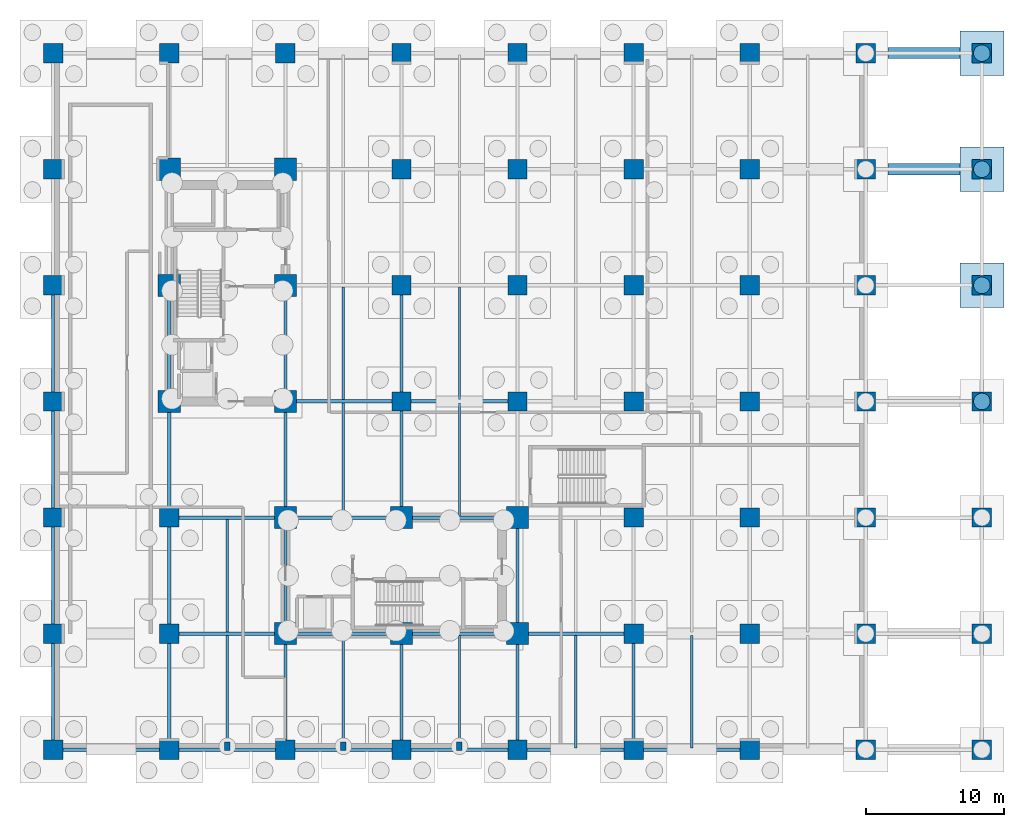
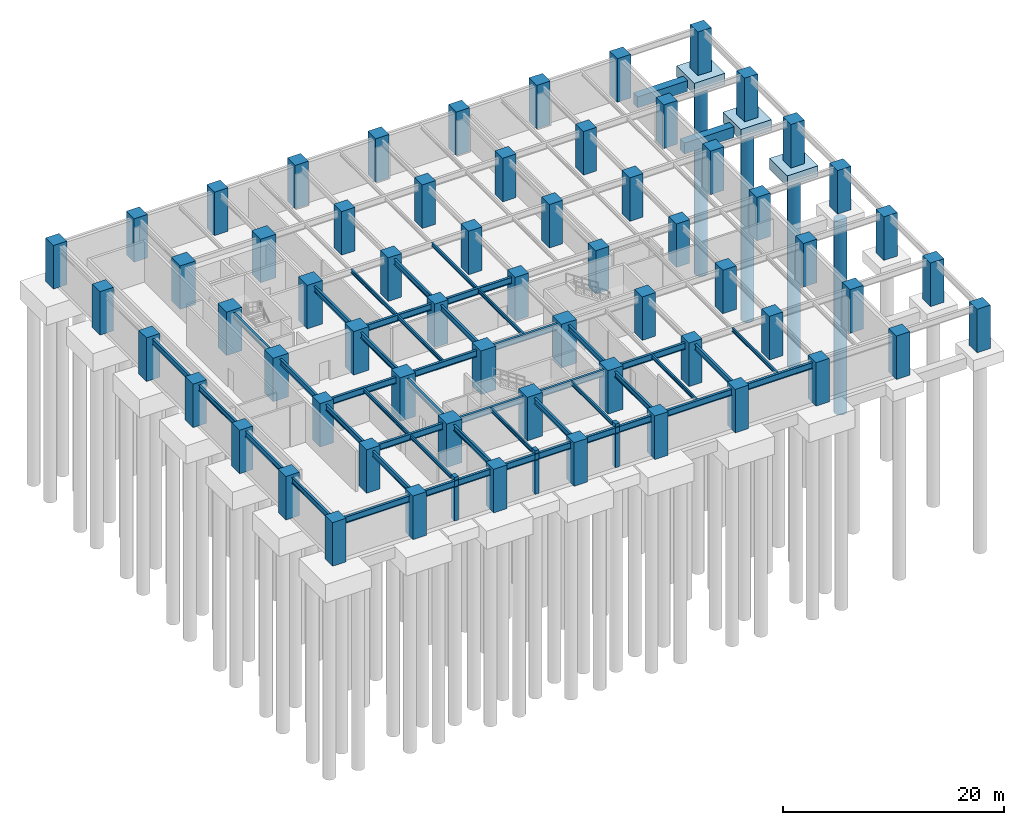
# One storey, part 3 of 9: 66 columns, 43 beams, 5 footings, 4 piles.
"""IFC4 building model written with IfcOpenShell, lengths in metres."""

from ifc_helpers import new_model, si_unit, direction, frame, origin, origin_2d, place, context, subcontext, project, spatial, polyline, rectangle, circle, i_section, outline, extrude, material, layer, layer_set, material_profile, profile_set, type_object, element, save


model = new_model("IFC4")

# Units and contexts
model_context = context("Model", 3, precision=1e-05, world=origin(), true_north=direction((0.0, 1.0)))
body_context = subcontext(model_context, "Body", "Model", "MODEL_VIEW")
ifc_project = project(units=[si_unit("LENGTHUNIT", "METRE"), si_unit("AREAUNIT", "SQUARE_METRE"), si_unit("VOLUMEUNIT", "CUBIC_METRE"), si_unit("PLANEANGLEUNIT", "RADIAN"), si_unit("MASSUNIT", "GRAM", prefix="KILO")], contexts=[model_context])

# Site, building, storey
site_placement = place(None, origin())
site = spatial("IfcSite", under=ifc_project, at=site_placement, CompositionType="ELEMENT")
building_placement = place(site_placement, origin())
building = spatial("IfcBuilding", under=site, at=building_placement, Name="Nerrivon Quay Data Exchange", CompositionType="ELEMENT")
storey_placement = place(building_placement, frame((0.0, 0.0, -9.60009765625)))
storey = spatial("IfcBuildingStorey", under=building, at=storey_placement, Name="B02", CompositionType="ELEMENT", Elevation=-9.60009765625)

# Footings
ifc_material_1 = material(Name="Concrete N40 (40 MPa)", Category="concrete")
ifc_material_profile_1 = material_profile(ifc_material_1, rectangle(XDim=0.800048828125, YDim=1.199951171875, at=origin_2d()), Name="RC-GB-800x1200")
ifc_profile_set_1 = profile_set([ifc_material_profile_1], Name="Concrete N40 (40 MPa)")
footing_type_1 = type_object("IfcFootingType", Name="FTG-GB-800x1200", PredefinedType="FOOTING_BEAM", material=ifc_profile_set_1)
for number, where, z_axis, x_axis, name in (
    (1, (60.39990234375, 42.0, -1.0), (1.0, 0.0, 0.0), (0.0, 1.0, 0.0), "Ground Tie Beam GB-19"),
    (2, (60.39990234375, 50.39990234375, -1.0), (1.0, 0.0, 0.0), (0.0, 1.0, 0.0), "Ground Tie Beam GB-27"),
):
    element("IfcFooting", number, at=place(storey_placement, frame(where, z_axis=z_axis, x_axis=x_axis)), inside=storey, type_object=footing_type_1, Name=name, PredefinedType="FOOTING_BEAM", context=body_context, shape_type="SweptSolid", body=[
        extrude(rectangle(XDim=0.800048828125, YDim=1.199951171875, at=origin_2d()), origin(), (0.0, 0.0, 1.0), 5.2001953125),
    ])
ifc_layer = layer(ifc_material_1, 1.199951171875)
ifc_layer_set = layer_set([ifc_layer], Name="Concrete N40 (40 MPa)")
footing_type_2 = type_object("IfcFootingType", Name="FTG-PAD-POD", PredefinedType="PAD_FOOTING", material=ifc_layer_set)
footing_1_placement = place(storey_placement, frame((0.0, 0.0, -1.199951171875)))
element("IfcFooting", 3, at=footing_1_placement, inside=storey, type_object=footing_type_2, Name="Podium Pad Footing PF-49", PredefinedType="PAD_FOOTING", context=body_context, shape_type="SweptSolid", body=[
    extrude(outline(polyline([(65.60009765625, 32.0), (68.800048828125, 32.0), (68.800048828125, 35.199951171875), (65.60009765625, 35.199951171875), (65.60009765625, 32.0)])), origin(), (0.0, 0.0, 1.0), 1.199951171875),
])
footing_2_placement = place(storey_placement, frame((0.0, 0.0, -1.199951171875)))
element("IfcFooting", 4, at=footing_2_placement, inside=storey, type_object=footing_type_2, Name="Podium Pad Footing PF-50", PredefinedType="PAD_FOOTING", context=body_context, shape_type="SweptSolid", body=[
    extrude(outline(polyline([(65.60009765625, 40.39990234375), (68.800048828125, 40.39990234375), (68.800048828125, 43.60009765625), (65.60009765625, 43.60009765625), (65.60009765625, 40.39990234375)])), origin(), (0.0, 0.0, 1.0), 1.199951171875),
])
footing_3_placement = place(storey_placement, frame((0.0, 0.0, -1.199951171875)))
element("IfcFooting", 5, at=footing_3_placement, inside=storey, type_object=footing_type_2, Name="Podium Pad Footing PF-51", PredefinedType="PAD_FOOTING", context=body_context, shape_type="SweptSolid", body=[
    extrude(outline(polyline([(65.60009765625, 48.800048828125), (68.800048828125, 48.800048828125), (68.800048828125, 52.0), (65.60009765625, 52.0), (65.60009765625, 48.800048828125)])), origin(), (0.0, 0.0, 1.0), 1.199951171875),
])

# Piles
ifc_material_2 = material(Name="Concrete N50 (50 MPa)", Category="concrete")
ifc_material_profile_2 = material_profile(ifc_material_2, circle(Radius=0.60009765625, at=origin_2d()), Name="PILE-1200")
ifc_profile_set_2 = profile_set([ifc_material_profile_2], Name="Concrete N50 (50 MPa)")
pile_type = type_object("IfcPileType", Name="PILE-P2-1200", PredefinedType="BORED", material=ifc_profile_set_2)
for number, where, z_axis, x_axis, name in (
    (6, (67.199951171875, 25.199951171875, -1.099853515625), (0.0, 0.0, -1.0), (1.0, 0.0, 0.0), "Bored Pile P2-189"),
    (7, (67.199951171875, 33.60009765625, -1.099853515625), (0.0, 0.0, -1.0), (1.0, 0.0, 0.0), "Bored Pile P2-190"),
    (8, (67.199951171875, 42.0, -1.099853515625), (0.0, 0.0, -1.0), (1.0, 0.0, 0.0), "Bored Pile P2-191"),
    (9, (67.199951171875, 50.39990234375, -1.099853515625), (0.0, 0.0, -1.0), (1.0, 0.0, 0.0), "Bored Pile P2-192"),
):
    element("IfcPile", number, at=place(storey_placement, frame(where, z_axis=z_axis, x_axis=x_axis)), inside=storey, type_object=pile_type, Name=name, PredefinedType="BORED", context=body_context, shape_type="SweptSolid", body=[
        extrude(circle(Radius=0.60009765625, at=origin_2d()), origin(), (0.0, 0.0, 1.0), 21.300048828125),
    ])

# Columns
ifc_material_3 = material(Name="Concrete N80 (80 MPa)", Category="concrete")
ifc_material_profile_3 = material_profile(ifc_material_3, rectangle(XDim=1.60009765625, YDim=1.60009765625, at=origin_2d()), Name="RC-COL-1600x1600")
ifc_profile_set_3 = profile_set([ifc_material_profile_3], Name="Concrete N80 (80 MPa)")
column_type_1 = type_object("IfcColumnType", Name="COL-C1-1600", PredefinedType="COLUMN", material=ifc_profile_set_3)
for number, where, z_axis, x_axis, name in (
    (10, (8.39990234375, 25.199951171875, 0.0), (0.0, 0.0, 1.0), (1.0, 0.0, 0.0), "B02 Column (8.4,25.2)"),
    (11, (8.39990234375, 33.60009765625, 0.0), (0.0, 0.0, 1.0), (1.0, 0.0, 0.0), "B02 Column (8.4,33.6)"),
    (12, (8.39990234375, 42.0, 0.0), (0.0, 0.0, 1.0), (1.0, 0.0, 0.0), "B02 Column (8.4,42.0)"),
    (13, (16.800048828125, 8.39990234375, 0.0), (0.0, 0.0, 1.0), (1.0, 0.0, 0.0), "B02 Column (16.8,8.4)"),
    (14, (16.800048828125, 16.800048828125, 0.0), (0.0, 0.0, 1.0), (1.0, 0.0, 0.0), "B02 Column (16.8,16.8)"),
    (15, (16.800048828125, 25.199951171875, 0.0), (0.0, 0.0, 1.0), (1.0, 0.0, 0.0), "B02 Column (16.8,25.2)"),
    (16, (16.800048828125, 33.60009765625, 0.0), (0.0, 0.0, 1.0), (1.0, 0.0, 0.0), "B02 Column (16.8,33.6)"),
    (17, (16.800048828125, 42.0, 0.0), (0.0, 0.0, 1.0), (1.0, 0.0, 0.0), "B02 Column (16.8,42.0)"),
    (18, (25.199951171875, 8.39990234375, 0.0), (0.0, 0.0, 1.0), (1.0, 0.0, 0.0), "B02 Column (25.2,8.4)"),
    (19, (25.199951171875, 16.800048828125, 0.0), (0.0, 0.0, 1.0), (1.0, 0.0, 0.0), "B02 Column (25.2,16.8)"),
    (20, (33.60009765625, 8.39990234375, 0.0), (0.0, 0.0, 1.0), (1.0, 0.0, 0.0), "B02 Column (33.6,8.4)"),
    (21, (33.60009765625, 16.800048828125, 0.0), (0.0, 0.0, 1.0), (1.0, 0.0, 0.0), "B02 Column (33.6,16.8)"),
):
    element("IfcColumn", number, at=place(storey_placement, frame(where, z_axis=z_axis, x_axis=x_axis)), inside=storey, type_object=column_type_1, Name=name, PredefinedType="COLUMN", context=body_context, shape_type="SweptSolid", body=[
        extrude(rectangle(XDim=1.60009765625, YDim=1.60009765625, at=origin_2d()), origin(), (0.0, 0.0, 1.0), 4.800048828125),
    ])
ifc_material_profile_4 = material_profile(ifc_material_3, rectangle(XDim=1.39990234375, YDim=1.39990234375, at=origin_2d()), Name="RC-COL-1400x1400")
ifc_profile_set_4 = profile_set([ifc_material_profile_4], Name="Concrete N80 (80 MPa)")
column_type_2 = type_object("IfcColumnType", Name="COL-C2-1400", PredefinedType="COLUMN", material=ifc_profile_set_4)
for number, where, z_axis, x_axis, name in (
    (22, (0.0, 0.0, 0.0), (0.0, 0.0, 1.0), (1.0, 0.0, 0.0), "B02 Column (0.0,0.0)"),
    (23, (0.0, 8.39990234375, 0.0), (0.0, 0.0, 1.0), (1.0, 0.0, 0.0), "B02 Column (0.0,8.4)"),
    (24, (0.0, 16.800048828125, 0.0), (0.0, 0.0, 1.0), (1.0, 0.0, 0.0), "B02 Column (0.0,16.8)"),
    (25, (0.0, 25.199951171875, 0.0), (0.0, 0.0, 1.0), (1.0, 0.0, 0.0), "B02 Column (0.0,25.2)"),
    (26, (0.0, 33.60009765625, 0.0), (0.0, 0.0, 1.0), (1.0, 0.0, 0.0), "B02 Column (0.0,33.6)"),
    (27, (0.0, 42.0, 0.0), (0.0, 0.0, 1.0), (1.0, 0.0, 0.0), "B02 Column (0.0,42.0)"),
    (28, (0.0, 50.39990234375, 0.0), (0.0, 0.0, 1.0), (1.0, 0.0, 0.0), "B02 Column (0.0,50.4)"),
    (29, (8.39990234375, 0.0, 0.0), (0.0, 0.0, 1.0), (1.0, 0.0, 0.0), "B02 Column (8.4,0.0)"),
    (30, (8.39990234375, 8.39990234375, 0.0), (0.0, 0.0, 1.0), (1.0, 0.0, 0.0), "B02 Column (8.4,8.4)"),
    (31, (8.39990234375, 16.800048828125, 0.0), (0.0, 0.0, 1.0), (1.0, 0.0, 0.0), "B02 Column (8.4,16.8)"),
    (32, (8.39990234375, 50.39990234375, 0.0), (0.0, 0.0, 1.0), (1.0, 0.0, 0.0), "B02 Column (8.4,50.4)"),
    (33, (16.800048828125, 0.0, 0.0), (0.0, 0.0, 1.0), (1.0, 0.0, 0.0), "B02 Column (16.8,0.0)"),
    (34, (16.800048828125, 50.39990234375, 0.0), (0.0, 0.0, 1.0), (1.0, 0.0, 0.0), "B02 Column (16.8,50.4)"),
    (35, (25.199951171875, 0.0, 0.0), (0.0, 0.0, 1.0), (1.0, 0.0, 0.0), "B02 Column (25.2,0.0)"),
    (36, (25.199951171875, 25.199951171875, 0.0), (0.0, 0.0, 1.0), (1.0, 0.0, 0.0), "B02 Column (25.2,25.2)"),
    (37, (25.199951171875, 33.60009765625, 0.0), (0.0, 0.0, 1.0), (1.0, 0.0, 0.0), "B02 Column (25.2,33.6)"),
    (38, (25.199951171875, 42.0, 0.0), (0.0, 0.0, 1.0), (1.0, 0.0, 0.0), "B02 Column (25.2,42.0)"),
    (39, (25.199951171875, 50.39990234375, 0.0), (0.0, 0.0, 1.0), (1.0, 0.0, 0.0), "B02 Column (25.2,50.4)"),
    (40, (33.60009765625, 0.0, 0.0), (0.0, 0.0, 1.0), (1.0, 0.0, 0.0), "B02 Column (33.6,0.0)"),
    (41, (33.60009765625, 25.199951171875, 0.0), (0.0, 0.0, 1.0), (1.0, 0.0, 0.0), "B02 Column (33.6,25.2)"),
    (42, (33.60009765625, 33.60009765625, 0.0), (0.0, 0.0, 1.0), (1.0, 0.0, 0.0), "B02 Column (33.6,33.6)"),
    (43, (33.60009765625, 42.0, 0.0), (0.0, 0.0, 1.0), (1.0, 0.0, 0.0), "B02 Column (33.6,42.0)"),
    (44, (33.60009765625, 50.39990234375, 0.0), (0.0, 0.0, 1.0), (1.0, 0.0, 0.0), "B02 Column (33.6,50.4)"),
    (45, (42.0, 0.0, 0.0), (0.0, 0.0, 1.0), (1.0, 0.0, 0.0), "B02 Column (42.0,0.0)"),
    (46, (42.0, 8.39990234375, 0.0), (0.0, 0.0, 1.0), (1.0, 0.0, 0.0), "B02 Column (42.0,8.4)"),
    (47, (42.0, 16.800048828125, 0.0), (0.0, 0.0, 1.0), (1.0, 0.0, 0.0), "B02 Column (42.0,16.8)"),
    (48, (42.0, 25.199951171875, 0.0), (0.0, 0.0, 1.0), (1.0, 0.0, 0.0), "B02 Column (42.0,25.2)"),
    (49, (42.0, 33.60009765625, 0.0), (0.0, 0.0, 1.0), (1.0, 0.0, 0.0), "B02 Column (42.0,33.6)"),
    (50, (42.0, 42.0, 0.0), (0.0, 0.0, 1.0), (1.0, 0.0, 0.0), "B02 Column (42.0,42.0)"),
    (51, (42.0, 50.39990234375, 0.0), (0.0, 0.0, 1.0), (1.0, 0.0, 0.0), "B02 Column (42.0,50.4)"),
    (52, (50.39990234375, 0.0, 0.0), (0.0, 0.0, 1.0), (1.0, 0.0, 0.0), "B02 Column (50.4,0.0)"),
    (53, (50.39990234375, 8.39990234375, 0.0), (0.0, 0.0, 1.0), (1.0, 0.0, 0.0), "B02 Column (50.4,8.4)"),
    (54, (50.39990234375, 16.800048828125, 0.0), (0.0, 0.0, 1.0), (1.0, 0.0, 0.0), "B02 Column (50.4,16.8)"),
    (55, (50.39990234375, 25.199951171875, 0.0), (0.0, 0.0, 1.0), (1.0, 0.0, 0.0), "B02 Column (50.4,25.2)"),
    (56, (50.39990234375, 33.60009765625, 0.0), (0.0, 0.0, 1.0), (1.0, 0.0, 0.0), "B02 Column (50.4,33.6)"),
    (57, (50.39990234375, 42.0, 0.0), (0.0, 0.0, 1.0), (1.0, 0.0, 0.0), "B02 Column (50.4,42.0)"),
    (58, (50.39990234375, 50.39990234375, 0.0), (0.0, 0.0, 1.0), (1.0, 0.0, 0.0), "B02 Column (50.4,50.4)"),
    (59, (58.800048828125, 0.0, 0.0), (0.0, 0.0, 1.0), (1.0, 0.0, 0.0), "B02 Column (58.8,0.0)"),
    (60, (58.800048828125, 8.39990234375, 0.0), (0.0, 0.0, 1.0), (1.0, 0.0, 0.0), "B02 Column (58.8,8.4)"),
    (61, (58.800048828125, 16.800048828125, 0.0), (0.0, 0.0, 1.0), (1.0, 0.0, 0.0), "B02 Column (58.8,16.8)"),
    (62, (58.800048828125, 25.199951171875, 0.0), (0.0, 0.0, 1.0), (1.0, 0.0, 0.0), "B02 Column (58.8,25.2)"),
    (63, (58.800048828125, 33.60009765625, 0.0), (0.0, 0.0, 1.0), (1.0, 0.0, 0.0), "B02 Column (58.8,33.6)"),
    (64, (58.800048828125, 42.0, 0.0), (0.0, 0.0, 1.0), (1.0, 0.0, 0.0), "B02 Column (58.8,42.0)"),
    (65, (58.800048828125, 50.39990234375, 0.0), (0.0, 0.0, 1.0), (1.0, 0.0, 0.0), "B02 Column (58.8,50.4)"),
    (66, (67.199951171875, 0.0, 0.0), (0.0, 0.0, 1.0), (1.0, 0.0, 0.0), "B02 Promenade Edge Column (67.2,0.0)"),
    (67, (67.199951171875, 8.39990234375, 0.0), (0.0, 0.0, 1.0), (1.0, 0.0, 0.0), "B02 Promenade Edge Column (67.2,8.4)"),
    (68, (67.199951171875, 16.800048828125, 0.0), (0.0, 0.0, 1.0), (1.0, 0.0, 0.0), "B02 Promenade Edge Column (67.2,16.8)"),
    (69, (67.199951171875, 25.199951171875, 0.0), (0.0, 0.0, 1.0), (1.0, 0.0, 0.0), "B02 Promenade Edge Column (67.2,25.2)"),
    (70, (67.199951171875, 33.60009765625, 0.0), (0.0, 0.0, 1.0), (1.0, 0.0, 0.0), "B02 Promenade Edge Column (67.2,33.6)"),
    (71, (67.199951171875, 42.0, 0.0), (0.0, 0.0, 1.0), (1.0, 0.0, 0.0), "B02 Promenade Edge Column (67.2,42.0)"),
    (72, (67.199951171875, 50.39990234375, 0.0), (0.0, 0.0, 1.0), (1.0, 0.0, 0.0), "B02 Promenade Edge Column (67.2,50.4)"),
):
    element("IfcColumn", number, at=place(storey_placement, frame(where, z_axis=z_axis, x_axis=x_axis)), inside=storey, type_object=column_type_2, Name=name, PredefinedType="COLUMN", context=body_context, shape_type="SweptSolid", body=[
        extrude(rectangle(XDim=1.39990234375, YDim=1.39990234375, at=origin_2d()), origin(), (0.0, 0.0, 1.0), 4.800048828125),
    ])
ifc_material_4 = material(Name="Concrete S65 (65 MPa)", Category="concrete")
ifc_material_profile_5 = material_profile(ifc_material_4, rectangle(XDim=0.39990234375, YDim=0.60009765625, at=origin_2d()), Name="RC-PIL-600x400")
ifc_profile_set_5 = profile_set([ifc_material_profile_5], Name="Concrete S65 (65 MPa)")
column_type_3 = type_object("IfcColumnType", Name="PIL-P1-600x400", PredefinedType="PILASTER", material=ifc_profile_set_5)
for number, where, z_axis, x_axis, name in (
    (73, (12.60009765625, 0.25, 0.0), (0.0, 0.0, 1.0), (1.0, 0.0, 0.0), "B02 Facade Pilaster (12.6)"),
    (74, (21.0, 0.25, 0.0), (0.0, 0.0, 1.0), (1.0, 0.0, 0.0), "B02 Facade Pilaster (21.0)"),
    (75, (29.39990234375, 0.25, 0.0), (0.0, 0.0, 1.0), (1.0, 0.0, 0.0), "B02 Facade Pilaster (29.4)"),
):
    element("IfcColumn", number, at=place(storey_placement, frame(where, z_axis=z_axis, x_axis=x_axis)), inside=storey, type_object=column_type_3, Name=name, PredefinedType="PILASTER", context=body_context, shape_type="SweptSolid", body=[
        extrude(rectangle(XDim=0.39990234375, YDim=0.60009765625, at=origin_2d()), origin(), (0.0, 0.0, 1.0), 4.800048828125),
    ])

# Beams
ifc_material_5 = material(Name="Steel Grade 350", Category="steel")
ifc_material_profile_6 = material_profile(ifc_material_5, i_section(OverallWidth=0.22900390625, OverallDepth=0.612060546875, WebThickness=0.011962890625, FlangeThickness=0.01953125, FilletRadius=0.013916015625, at=origin_2d()), Name="610UB125")
ifc_profile_set_6 = profile_set([ifc_material_profile_6], Name="Steel Grade 350")
beam_type_1 = type_object("IfcBeamType", Name="BM-G1-610UB125", PredefinedType="BEAM", material=ifc_profile_set_6)
for number, where, z_axis, x_axis, name in (
    (76, (0.0, 0.5400390625, 4.174072265625), (0.0, 1.0, 0.0), (-1.0, 0.0, 0.0), "B02 NS Girder X=0.0 (0.0..8.4)"),
    (77, (0.0, 8.93994140625, 4.174072265625), (0.0, 1.0, 0.0), (-1.0, 0.0, 0.0), "B02 NS Girder X=0.0 (8.4..16.8)"),
):
    element("IfcBeam", number, at=place(storey_placement, frame(where, z_axis=z_axis, x_axis=x_axis)), inside=storey, type_object=beam_type_1, Name=name, PredefinedType="BEAM", context=body_context, shape_type="SweptSolid", body=[
        extrude(i_section(OverallWidth=0.22900390625, OverallDepth=0.612060546875, WebThickness=0.011962890625, FlangeThickness=0.01953125, FilletRadius=0.013916015625, at=origin_2d()), origin(), (0.0, 0.0, 1.0), 7.320068359375),
    ])
beam_1_placement = place(storey_placement, frame((0.0, 17.340087890625, 4.174072265625), z_axis=(0.0, 1.0, 0.0), x_axis=(-1.0, 0.0, 0.0)))
element("IfcBeam", 78, at=beam_1_placement, inside=storey, type_object=beam_type_1, Name="B02 NS Girder X=0.0 (16.8..25.2)", PredefinedType="BEAM", context=body_context, shape_type="SweptSolid", body=[
    extrude(i_section(OverallWidth=0.22900390625, OverallDepth=0.612060546875, WebThickness=0.011962890625, FlangeThickness=0.01953125, FilletRadius=0.013916015625, at=origin_2d()), origin(), (0.0, 0.0, 1.0), 7.31982421875),
])
for number, where, z_axis, x_axis, name in (
    (79, (0.0, 25.739990234375, 4.174072265625), (0.0, 1.0, 0.0), (-1.0, 0.0, 0.0), "B02 NS Girder X=0.0 (25.2..33.6)"),
    (80, (8.39990234375, 0.5400390625, 4.174072265625), (0.0, 1.0, 0.0), (-1.0, 0.0, 0.0), "B02 NS Girder X=8.4 (0.0..8.4)"),
    (81, (8.39990234375, 8.93994140625, 4.174072265625), (0.0, 1.0, 0.0), (-1.0, 0.0, 0.0), "B02 NS Girder X=8.4 (8.4..16.8)"),
):
    element("IfcBeam", number, at=place(storey_placement, frame(where, z_axis=z_axis, x_axis=x_axis)), inside=storey, type_object=beam_type_1, Name=name, PredefinedType="BEAM", context=body_context, shape_type="SweptSolid", body=[
        extrude(i_section(OverallWidth=0.22900390625, OverallDepth=0.612060546875, WebThickness=0.011962890625, FlangeThickness=0.01953125, FilletRadius=0.013916015625, at=origin_2d()), origin(), (0.0, 0.0, 1.0), 7.320068359375),
    ])
beam_2_placement = place(storey_placement, frame((8.39990234375, 17.340087890625, 4.174072265625), z_axis=(0.0, 1.0, 0.0), x_axis=(-1.0, 0.0, 0.0)))
element("IfcBeam", 82, at=beam_2_placement, inside=storey, type_object=beam_type_1, Name="B02 NS Girder X=8.4 (16.8..25.2)", PredefinedType="BEAM", context=body_context, shape_type="SweptSolid", body=[
    extrude(i_section(OverallWidth=0.22900390625, OverallDepth=0.612060546875, WebThickness=0.011962890625, FlangeThickness=0.01953125, FilletRadius=0.013916015625, at=origin_2d()), origin(), (0.0, 0.0, 1.0), 7.31982421875),
])
for number, where, z_axis, x_axis, name in (
    (83, (8.39990234375, 25.739990234375, 4.174072265625), (0.0, 1.0, 0.0), (-1.0, 0.0, 0.0), "B02 NS Girder X=8.4 (25.2..33.6)"),
    (84, (16.800048828125, 0.5400390625, 4.174072265625), (0.0, 1.0, 0.0), (-1.0, 0.0, 0.0), "B02 NS Girder X=16.8 (0.0..8.4)"),
    (85, (16.800048828125, 8.93994140625, 4.174072265625), (0.0, 1.0, 0.0), (-1.0, 0.0, 0.0), "B02 NS Girder X=16.8 (8.4..16.8)"),
):
    element("IfcBeam", number, at=place(storey_placement, frame(where, z_axis=z_axis, x_axis=x_axis)), inside=storey, type_object=beam_type_1, Name=name, PredefinedType="BEAM", context=body_context, shape_type="SweptSolid", body=[
        extrude(i_section(OverallWidth=0.22900390625, OverallDepth=0.612060546875, WebThickness=0.011962890625, FlangeThickness=0.01953125, FilletRadius=0.013916015625, at=origin_2d()), origin(), (0.0, 0.0, 1.0), 7.320068359375),
    ])
beam_3_placement = place(storey_placement, frame((16.800048828125, 17.340087890625, 4.174072265625), z_axis=(0.0, 1.0, 0.0), x_axis=(-1.0, 0.0, 0.0)))
element("IfcBeam", 86, at=beam_3_placement, inside=storey, type_object=beam_type_1, Name="B02 NS Girder X=16.8 (16.8..25.2)", PredefinedType="BEAM", context=body_context, shape_type="SweptSolid", body=[
    extrude(i_section(OverallWidth=0.22900390625, OverallDepth=0.612060546875, WebThickness=0.011962890625, FlangeThickness=0.01953125, FilletRadius=0.013916015625, at=origin_2d()), origin(), (0.0, 0.0, 1.0), 7.31982421875),
])
for number, where, z_axis, x_axis, name in (
    (87, (16.800048828125, 25.739990234375, 4.174072265625), (0.0, 1.0, 0.0), (-1.0, 0.0, 0.0), "B02 NS Girder X=16.8 (25.2..33.6)"),
    (88, (25.199951171875, 0.5400390625, 4.174072265625), (0.0, 1.0, 0.0), (-1.0, 0.0, 0.0), "B02 NS Girder X=25.2 (0.0..8.4)"),
):
    element("IfcBeam", number, at=place(storey_placement, frame(where, z_axis=z_axis, x_axis=x_axis)), inside=storey, type_object=beam_type_1, Name=name, PredefinedType="BEAM", context=body_context, shape_type="SweptSolid", body=[
        extrude(i_section(OverallWidth=0.22900390625, OverallDepth=0.612060546875, WebThickness=0.011962890625, FlangeThickness=0.01953125, FilletRadius=0.013916015625, at=origin_2d()), origin(), (0.0, 0.0, 1.0), 7.320068359375),
    ])
beam_4_placement = place(storey_placement, frame((25.199951171875, 17.340087890625, 4.174072265625), z_axis=(0.0, 1.0, 0.0), x_axis=(-1.0, 0.0, 0.0)))
element("IfcBeam", 89, at=beam_4_placement, inside=storey, type_object=beam_type_1, Name="B02 NS Girder X=25.2 (16.8..25.2)", PredefinedType="BEAM", context=body_context, shape_type="SweptSolid", body=[
    extrude(i_section(OverallWidth=0.22900390625, OverallDepth=0.612060546875, WebThickness=0.011962890625, FlangeThickness=0.01953125, FilletRadius=0.013916015625, at=origin_2d()), origin(), (0.0, 0.0, 1.0), 7.31982421875),
])
for number, where, z_axis, x_axis, name in (
    (90, (25.199951171875, 25.739990234375, 4.174072265625), (0.0, 1.0, 0.0), (-1.0, 0.0, 0.0), "B02 NS Girder X=25.2 (25.2..33.6)"),
    (91, (33.60009765625, 0.5400390625, 4.174072265625), (0.0, 1.0, 0.0), (-1.0, 0.0, 0.0), "B02 NS Girder X=33.6 (0.0..8.4)"),
    (92, (33.60009765625, 8.93994140625, 4.174072265625), (0.0, 1.0, 0.0), (-1.0, 0.0, 0.0), "B02 NS Girder X=33.6 (8.4..16.8)"),
    (93, (42.0, 0.5400390625, 4.174072265625), (0.0, 1.0, 0.0), (-1.0, 0.0, 0.0), "B02 NS Girder X=42.0 (0.0..8.4)"),
):
    element("IfcBeam", number, at=place(storey_placement, frame(where, z_axis=z_axis, x_axis=x_axis)), inside=storey, type_object=beam_type_1, Name=name, PredefinedType="BEAM", context=body_context, shape_type="SweptSolid", body=[
        extrude(i_section(OverallWidth=0.22900390625, OverallDepth=0.612060546875, WebThickness=0.011962890625, FlangeThickness=0.01953125, FilletRadius=0.013916015625, at=origin_2d()), origin(), (0.0, 0.0, 1.0), 7.320068359375),
    ])
ifc_material_profile_7 = material_profile(ifc_material_5, i_section(OverallWidth=0.25, OverallDepth=0.699951171875, WebThickness=0.010009765625, FlangeThickness=0.02001953125, at=origin_2d()), Name="700WB130")
ifc_profile_set_7 = profile_set([ifc_material_profile_7], Name="Steel Grade 350")
beam_type_2 = type_object("IfcBeamType", Name="BM-G7-700WB130", PredefinedType="BEAM", material=ifc_profile_set_7)
for number, where, z_axis, x_axis, name in (
    (94, (0.5400390625, 0.0, 4.130126953125), (1.0, 0.0, 0.0), (0.0, 1.0, 0.0), "B02 EW Girder Y=0.0 (0.0..8.4)"),
    (95, (8.93994140625, 0.0, 4.130126953125), (1.0, 0.0, 0.0), (0.0, 1.0, 0.0), "B02 EW Girder Y=0.0 (8.4..16.8)"),
):
    element("IfcBeam", number, at=place(storey_placement, frame(where, z_axis=z_axis, x_axis=x_axis)), inside=storey, type_object=beam_type_2, Name=name, PredefinedType="BEAM", context=body_context, shape_type="SweptSolid", body=[
        extrude(i_section(OverallWidth=0.25, OverallDepth=0.699951171875, WebThickness=0.010009765625, FlangeThickness=0.02001953125, at=origin_2d()), origin(), (0.0, 0.0, 1.0), 7.320068359375),
    ])
beam_5_placement = place(storey_placement, frame((17.340087890625, 0.0, 4.130126953125), z_axis=(1.0, 0.0, 0.0), x_axis=(0.0, 1.0, 0.0)))
element("IfcBeam", 96, at=beam_5_placement, inside=storey, type_object=beam_type_2, Name="B02 EW Girder Y=0.0 (16.8..25.2)", PredefinedType="BEAM", context=body_context, shape_type="SweptSolid", body=[
    extrude(i_section(OverallWidth=0.25, OverallDepth=0.699951171875, WebThickness=0.010009765625, FlangeThickness=0.02001953125, at=origin_2d()), origin(), (0.0, 0.0, 1.0), 7.31982421875),
])
for number, where, z_axis, x_axis, name in (
    (97, (25.739990234375, 0.0, 4.130126953125), (1.0, 0.0, 0.0), (0.0, 1.0, 0.0), "B02 EW Girder Y=0.0 (25.2..33.6)"),
    (98, (34.139892578125, 0.0, 4.130126953125), (1.0, 0.0, 0.0), (0.0, 1.0, 0.0), "B02 EW Girder Y=0.0 (33.6..42.0)"),
    (99, (42.5400390625, 0.0, 4.130126953125), (1.0, 0.0, 0.0), (0.0, 1.0, 0.0), "B02 EW Girder Y=0.0 (42.0..50.4)"),
    (100, (8.93994140625, 8.39990234375, 4.130126953125), (1.0, 0.0, 0.0), (0.0, 1.0, 0.0), "B02 EW Girder Y=8.4 (8.4..16.8)"),
):
    element("IfcBeam", number, at=place(storey_placement, frame(where, z_axis=z_axis, x_axis=x_axis)), inside=storey, type_object=beam_type_2, Name=name, PredefinedType="BEAM", context=body_context, shape_type="SweptSolid", body=[
        extrude(i_section(OverallWidth=0.25, OverallDepth=0.699951171875, WebThickness=0.010009765625, FlangeThickness=0.02001953125, at=origin_2d()), origin(), (0.0, 0.0, 1.0), 7.320068359375),
    ])
beam_6_placement = place(storey_placement, frame((17.340087890625, 8.39990234375, 4.130126953125), z_axis=(1.0, 0.0, 0.0), x_axis=(0.0, 1.0, 0.0)))
element("IfcBeam", 101, at=beam_6_placement, inside=storey, type_object=beam_type_2, Name="B02 EW Girder Y=8.4 (16.8..25.2)", PredefinedType="BEAM", context=body_context, shape_type="SweptSolid", body=[
    extrude(i_section(OverallWidth=0.25, OverallDepth=0.699951171875, WebThickness=0.010009765625, FlangeThickness=0.02001953125, at=origin_2d()), origin(), (0.0, 0.0, 1.0), 7.31982421875),
])
for number, where, z_axis, x_axis, name in (
    (102, (25.739990234375, 8.39990234375, 4.130126953125), (1.0, 0.0, 0.0), (0.0, 1.0, 0.0), "B02 EW Girder Y=8.4 (25.2..33.6)"),
    (103, (34.139892578125, 8.39990234375, 4.130126953125), (1.0, 0.0, 0.0), (0.0, 1.0, 0.0), "B02 EW Girder Y=8.4 (33.6..42.0)"),
    (104, (8.93994140625, 16.800048828125, 4.130126953125), (1.0, 0.0, 0.0), (0.0, 1.0, 0.0), "B02 EW Girder Y=16.8 (8.4..16.8)"),
):
    element("IfcBeam", number, at=place(storey_placement, frame(where, z_axis=z_axis, x_axis=x_axis)), inside=storey, type_object=beam_type_2, Name=name, PredefinedType="BEAM", context=body_context, shape_type="SweptSolid", body=[
        extrude(i_section(OverallWidth=0.25, OverallDepth=0.699951171875, WebThickness=0.010009765625, FlangeThickness=0.02001953125, at=origin_2d()), origin(), (0.0, 0.0, 1.0), 7.320068359375),
    ])
beam_7_placement = place(storey_placement, frame((17.340087890625, 16.800048828125, 4.130126953125), z_axis=(1.0, 0.0, 0.0), x_axis=(0.0, 1.0, 0.0)))
element("IfcBeam", 105, at=beam_7_placement, inside=storey, type_object=beam_type_2, Name="B02 EW Girder Y=16.8 (16.8..25.2)", PredefinedType="BEAM", context=body_context, shape_type="SweptSolid", body=[
    extrude(i_section(OverallWidth=0.25, OverallDepth=0.699951171875, WebThickness=0.010009765625, FlangeThickness=0.02001953125, at=origin_2d()), origin(), (0.0, 0.0, 1.0), 7.31982421875),
])
beam_8_placement = place(storey_placement, frame((25.739990234375, 16.800048828125, 4.130126953125), z_axis=(1.0, 0.0, 0.0), x_axis=(0.0, 1.0, 0.0)))
element("IfcBeam", 106, at=beam_8_placement, inside=storey, type_object=beam_type_2, Name="B02 EW Girder Y=16.8 (25.2..33.6)", PredefinedType="BEAM", context=body_context, shape_type="SweptSolid", body=[
    extrude(i_section(OverallWidth=0.25, OverallDepth=0.699951171875, WebThickness=0.010009765625, FlangeThickness=0.02001953125, at=origin_2d()), origin(), (0.0, 0.0, 1.0), 7.320068359375),
])
beam_9_placement = place(storey_placement, frame((17.340087890625, 25.199951171875, 4.130126953125), z_axis=(1.0, 0.0, 0.0), x_axis=(0.0, 1.0, 0.0)))
element("IfcBeam", 107, at=beam_9_placement, inside=storey, type_object=beam_type_2, Name="B02 EW Girder Y=25.2 (16.8..25.2)", PredefinedType="BEAM", context=body_context, shape_type="SweptSolid", body=[
    extrude(i_section(OverallWidth=0.25, OverallDepth=0.699951171875, WebThickness=0.010009765625, FlangeThickness=0.02001953125, at=origin_2d()), origin(), (0.0, 0.0, 1.0), 7.31982421875),
])
beam_10_placement = place(storey_placement, frame((25.739990234375, 25.199951171875, 4.130126953125), z_axis=(1.0, 0.0, 0.0), x_axis=(0.0, 1.0, 0.0)))
element("IfcBeam", 108, at=beam_10_placement, inside=storey, type_object=beam_type_2, Name="B02 EW Girder Y=25.2 (25.2..33.6)", PredefinedType="BEAM", context=body_context, shape_type="SweptSolid", body=[
    extrude(i_section(OverallWidth=0.25, OverallDepth=0.699951171875, WebThickness=0.010009765625, FlangeThickness=0.02001953125, at=origin_2d()), origin(), (0.0, 0.0, 1.0), 7.320068359375),
])
ifc_material_profile_8 = material_profile(ifc_material_5, i_section(OverallWidth=0.177978515625, OverallDepth=0.406005859375, WebThickness=0.0078125, FlangeThickness=0.0126953125, FilletRadius=0.011474609375, at=origin_2d()), Name="410UB59.7")
ifc_profile_set_8 = profile_set([ifc_material_profile_8], Name="Steel Grade 350")
beam_type_3 = type_object("IfcBeamType", Name="BM-J1-410UB60", PredefinedType="JOIST", material=ifc_profile_set_8)
beam_11_placement = place(storey_placement, frame((12.60009765625, 0.125, 4.277099609375), z_axis=(0.0, 1.0, 0.0), x_axis=(-1.0, 0.0, 0.0)))
element("IfcBeam", 109, at=beam_11_placement, inside=storey, type_object=beam_type_3, Name="B02 Secondary Joist X=12.6 (0.0..8.4)", PredefinedType="JOIST", context=body_context, shape_type="SweptSolid", body=[
    extrude(i_section(OverallWidth=0.177978515625, OverallDepth=0.406005859375, WebThickness=0.0078125, FlangeThickness=0.0126953125, FilletRadius=0.011474609375, at=origin_2d()), origin(), (0.0, 0.0, 1.0), 8.14990234375),
])
beam_12_placement = place(storey_placement, frame((12.60009765625, 8.52490234375, 4.277099609375), z_axis=(0.0, 1.0, 0.0), x_axis=(-1.0, 0.0, 0.0)))
element("IfcBeam", 110, at=beam_12_placement, inside=storey, type_object=beam_type_3, Name="B02 Secondary Joist X=12.6 (8.4..16.8)", PredefinedType="JOIST", context=body_context, shape_type="SweptSolid", body=[
    extrude(i_section(OverallWidth=0.177978515625, OverallDepth=0.406005859375, WebThickness=0.0078125, FlangeThickness=0.0126953125, FilletRadius=0.011474609375, at=origin_2d()), origin(), (0.0, 0.0, 1.0), 8.150146484375),
])
for number, where, z_axis, x_axis, name in (
    (111, (21.0, 0.125, 4.277099609375), (0.0, 1.0, 0.0), (-1.0, 0.0, 0.0), "B02 Secondary Joist X=21.0 (0.0..8.4)"),
    (112, (21.0, 16.925048828125, 4.277099609375), (0.0, 1.0, 0.0), (-1.0, 0.0, 0.0), "B02 Secondary Joist X=21.0 (16.8..25.2)"),
):
    element("IfcBeam", number, at=place(storey_placement, frame(where, z_axis=z_axis, x_axis=x_axis)), inside=storey, type_object=beam_type_3, Name=name, PredefinedType="JOIST", context=body_context, shape_type="SweptSolid", body=[
        extrude(i_section(OverallWidth=0.177978515625, OverallDepth=0.406005859375, WebThickness=0.0078125, FlangeThickness=0.0126953125, FilletRadius=0.011474609375, at=origin_2d()), origin(), (0.0, 0.0, 1.0), 8.14990234375),
    ])
beam_13_placement = place(storey_placement, frame((21.0, 25.324951171875, 4.277099609375), z_axis=(0.0, 1.0, 0.0), x_axis=(-1.0, 0.0, 0.0)))
element("IfcBeam", 113, at=beam_13_placement, inside=storey, type_object=beam_type_3, Name="B02 Secondary Joist X=21.0 (25.2..33.6)", PredefinedType="JOIST", context=body_context, shape_type="SweptSolid", body=[
    extrude(i_section(OverallWidth=0.177978515625, OverallDepth=0.406005859375, WebThickness=0.0078125, FlangeThickness=0.0126953125, FilletRadius=0.011474609375, at=origin_2d()), origin(), (0.0, 0.0, 1.0), 8.150146484375),
])
for number, where, z_axis, x_axis, name in (
    (114, (29.39990234375, 0.125, 4.277099609375), (0.0, 1.0, 0.0), (-1.0, 0.0, 0.0), "B02 Secondary Joist X=29.4 (0.0..8.4)"),
    (115, (29.39990234375, 16.925048828125, 4.277099609375), (0.0, 1.0, 0.0), (-1.0, 0.0, 0.0), "B02 Secondary Joist X=29.4 (16.8..25.2)"),
):
    element("IfcBeam", number, at=place(storey_placement, frame(where, z_axis=z_axis, x_axis=x_axis)), inside=storey, type_object=beam_type_3, Name=name, PredefinedType="JOIST", context=body_context, shape_type="SweptSolid", body=[
        extrude(i_section(OverallWidth=0.177978515625, OverallDepth=0.406005859375, WebThickness=0.0078125, FlangeThickness=0.0126953125, FilletRadius=0.011474609375, at=origin_2d()), origin(), (0.0, 0.0, 1.0), 8.14990234375),
    ])
beam_14_placement = place(storey_placement, frame((29.39990234375, 25.324951171875, 4.277099609375), z_axis=(0.0, 1.0, 0.0), x_axis=(-1.0, 0.0, 0.0)))
element("IfcBeam", 116, at=beam_14_placement, inside=storey, type_object=beam_type_3, Name="B02 Secondary Joist X=29.4 (25.2..33.6)", PredefinedType="JOIST", context=body_context, shape_type="SweptSolid", body=[
    extrude(i_section(OverallWidth=0.177978515625, OverallDepth=0.406005859375, WebThickness=0.0078125, FlangeThickness=0.0126953125, FilletRadius=0.011474609375, at=origin_2d()), origin(), (0.0, 0.0, 1.0), 8.150146484375),
])
for number, where, z_axis, x_axis, name in (
    (117, (37.800048828125, 0.125, 4.277099609375), (0.0, 1.0, 0.0), (-1.0, 0.0, 0.0), "B02 Secondary Joist X=37.8 (0.0..8.4)"),
    (118, (46.199951171875, 0.125, 4.277099609375), (0.0, 1.0, 0.0), (-1.0, 0.0, 0.0), "B02 Secondary Joist X=46.2 (0.0..8.4)"),
):
    element("IfcBeam", number, at=place(storey_placement, frame(where, z_axis=z_axis, x_axis=x_axis)), inside=storey, type_object=beam_type_3, Name=name, PredefinedType="JOIST", context=body_context, shape_type="SweptSolid", body=[
        extrude(i_section(OverallWidth=0.177978515625, OverallDepth=0.406005859375, WebThickness=0.0078125, FlangeThickness=0.0126953125, FilletRadius=0.011474609375, at=origin_2d()), origin(), (0.0, 0.0, 1.0), 8.14990234375),
    ])

save(model, "model.ifc")
